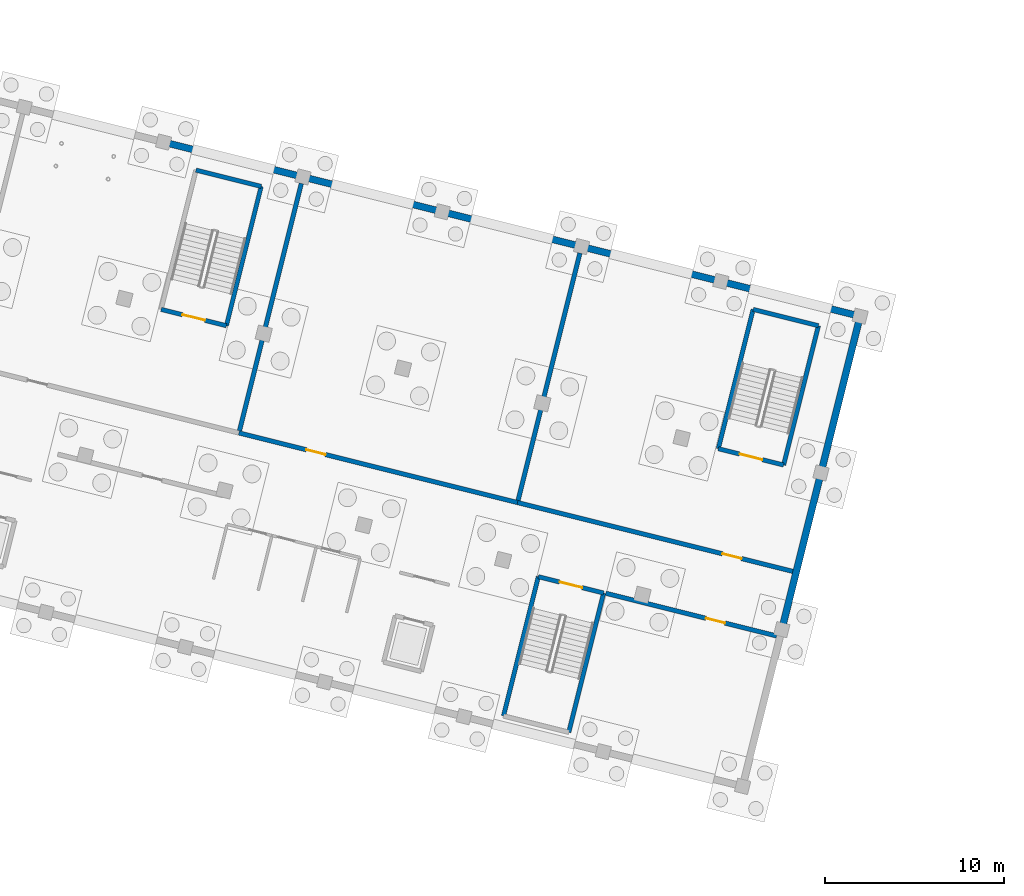
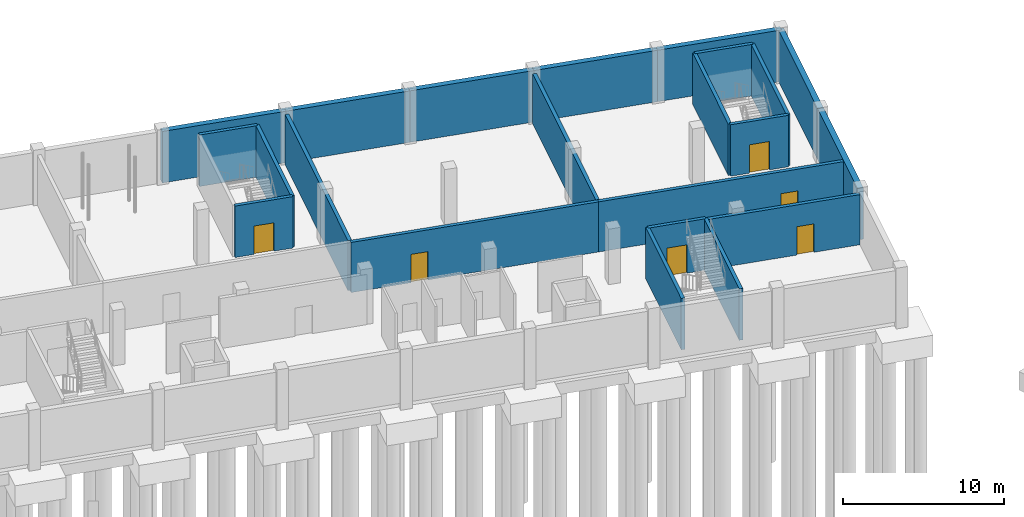
# One storey, part 25 of 36: 22 walls, 6 doors, 6 openings.
"""IFC4 building model written with IfcOpenShell, lengths in metres."""

from ifc_helpers import new_model, si_unit, derived_unit, direction, frame, frame_2d, origin, place, context, subcontext, project, spatial, rectangle, extrude, material, layer, layer_set, type_object, element, fill, save


model = new_model("IFC4")

# Units and contexts
model_context = context("Model", 3, precision=1e-05, world=origin(), true_north=direction((0.0, 1.0)))
body_context = subcontext(model_context, "Body", "Model", "MODEL_VIEW")
ifc_project = project(units=[si_unit("LENGTHUNIT", "METRE"), si_unit("AREAUNIT", "SQUARE_METRE"), si_unit("VOLUMEUNIT", "CUBIC_METRE"), si_unit("PLANEANGLEUNIT", "RADIAN"), si_unit("MASSUNIT", "GRAM", prefix="KILO"), si_unit("THERMODYNAMICTEMPERATUREUNIT", "KELVIN"), si_unit("TIMEUNIT", "SECOND"), derived_unit("THERMALTRANSMITTANCEUNIT", [(si_unit("MASSUNIT", "GRAM", prefix="KILO"), 1), (si_unit("THERMODYNAMICTEMPERATUREUNIT", "KELVIN"), -1), (si_unit("TIMEUNIT", "SECOND"), -3)])], contexts=[model_context])

# Site, building, storey
site_placement = place(None, origin())
site = spatial("IfcSite", under=ifc_project, at=site_placement, CompositionType="ELEMENT")
building_placement = place(site_placement, origin())
building = spatial("IfcBuilding", under=site, at=building_placement, Name="Cambertide Market Hall", CompositionType="ELEMENT")
storey_placement = place(building_placement, frame((0.0, 0.0, -4.199951171875)))
storey = spatial("IfcBuildingStorey", under=building, at=storey_placement, Name="B1", CompositionType="ELEMENT", Elevation=-4.199951171875)

# Wall, opening, door
ifc_material_1 = material(Name="Concrete B35", Category="concrete")
ifc_layer_1 = layer(ifc_material_1, 0.25, Name="Compartment Fire Wall 250")
ifc_layer_set_1 = layer_set([ifc_layer_1], Name="Concrete B35")
wall_type_1 = type_object("IfcWallType", Name="Compartment Fire Wall 250", PredefinedType="SOLIDWALL", material=ifc_layer_set_1)
wall_1_placement = place(storey_placement, frame((142.02783203125, 104.171630859375, 0.0), z_axis=(0.0, 0.0, 1.0), x_axis=(0.97014160256, -0.242539215349, 0.0)))
wall_1 = element("IfcWall", 1, at=wall_1_placement, inside=storey, type_object=wall_type_1, Name="Basement 1 Interior Wall IW-B1-V4P-3", PredefinedType="SOLIDWALL", context=body_context, shape_type="SweptSolid", body=[
    extrude(rectangle(XDim=16.0, YDim=0.25, at=frame_2d((8.0, 0.0))), origin(), (0.0, 0.0, 1.0), 3.800048828125),
])
opening_1_placement = place(wall_1_placement, frame((3.8740234375, 0.0, 0.0)))
opening_1 = element("IfcOpeningElement", 2, at=opening_1_placement, cuts=wall_1, Name="Opening FD-03", PredefinedType="OPENING", context=body_context, shape_type="SweptSolid", body=[
    extrude(rectangle(XDim=1.10009765625, YDim=2.14990234375, at=frame_2d((0.550048828125, 1.074951171875))), frame((0.0, 0.135009765625, 0.0), z_axis=(0.0, -1.0, 0.0), x_axis=(1.0, 0.0, 0.0)), (0.0, 0.0, 1.0), 0.27001953125),
])
ifc_material_2 = material(Name="Powder-Coated Galvanized Sheet Metal", Category="metal")
door_type_1 = type_object("IfcDoorType", Name="Plant & Cistern Fire Door 1100x2150", OperationType="NOTDEFINED", PredefinedType="DOOR", material=ifc_material_2)
door_1_placement = place(opening_1_placement, origin())
door_1 = element("IfcDoor", 3, at=door_1_placement, inside=storey, type_object=door_type_1, Name="Basement 1 Door IW-B1-V4P-3-DR1", OperationType="SINGLE_SWING_RIGHT", OverallHeight=2.14990234375, OverallWidth=1.10009765625, PredefinedType="DOOR", context=body_context, shape_type="SweptSolid", body=[
    extrude(rectangle(XDim=1.10009765625, YDim=2.14990234375, at=frame_2d((0.550048828125, 1.074951171875))), frame((0.0, 0.02490234375, 0.0), z_axis=(0.0, -1.0, 0.0), x_axis=(1.0, 0.0, 0.0)), (0.0, 0.0, 1.0), 0.050048828125),
])
fill(opening_1, door_1)

wall_2_placement = place(storey_placement, frame((157.550048828125, 100.291015625, 0.0), z_axis=(0.0, 0.0, 1.0), x_axis=(0.970142500145, -0.242535625036, 0.0)))
wall_2 = element("IfcWall", 4, at=wall_2_placement, inside=storey, type_object=wall_type_1, Name="Basement 1 Interior Wall IW-B1-V4P-4", PredefinedType="SOLIDWALL", context=body_context, shape_type="SweptSolid", body=[
    extrude(rectangle(XDim=15.809814453125, YDim=0.25, at=frame_2d((7.90478515625, 0.0))), origin(), (0.0, 0.0, 1.0), 3.800048828125),
])
opening_2_placement = place(wall_2_placement, frame((11.76806640625, 0.0, 0.0)))
opening_2 = element("IfcOpeningElement", 5, at=opening_2_placement, cuts=wall_2, Name="Opening FD-03", PredefinedType="OPENING", context=body_context, shape_type="SweptSolid", body=[
    extrude(rectangle(XDim=1.10009765625, YDim=2.14990234375, at=frame_2d((0.550048828125, 1.074951171875))), frame((0.0, 0.135009765625, 0.0), z_axis=(0.0, -1.0, 0.0), x_axis=(1.0, 0.0, 0.0)), (0.0, 0.0, 1.0), 0.27001953125),
])
door_2_placement = place(opening_2_placement, origin())
door_2 = element("IfcDoor", 6, at=door_2_placement, inside=storey, type_object=door_type_1, Name="Basement 1 Door IW-B1-V4P-4-DR1", OperationType="SINGLE_SWING_LEFT", OverallHeight=2.14990234375, OverallWidth=1.10009765625, PredefinedType="DOOR", context=body_context, shape_type="SweptSolid", body=[
    extrude(rectangle(XDim=1.10009765625, YDim=2.14990234375, at=frame_2d((0.550048828125, 1.074951171875))), frame((0.0, 0.02490234375, 0.0), z_axis=(0.0, -1.0, 0.0), x_axis=(1.0, 0.0, 0.0)), (0.0, 0.0, 1.0), 0.050048828125),
])
fill(opening_2, door_2)

# Walls
wall_3_placement = place(storey_placement, frame((142.05810546875, 104.29296875, 0.0), z_axis=(0.0, 0.0, 1.0), x_axis=(0.242527534102, 0.970144522843, 0.0)))
element("IfcWall", 7, at=wall_3_placement, inside=storey, type_object=wall_type_1, Name="Basement 1 Interior Wall IW-B1-V4PDIV-32", PredefinedType="SOLIDWALL", context=body_context, shape_type="SweptSolid", body=[
    extrude(rectangle(XDim=14.19970703125, YDim=0.25, at=frame_2d((7.099853515625, 0.0))), origin(), (0.0, 0.0, 1.0), 3.800048828125),
])
wall_4_placement = place(storey_placement, frame((157.580322265625, 100.412353515625, 0.0), z_axis=(0.0, 0.0, 1.0), x_axis=(0.24254371592, 0.970140477388, 0.0)))
element("IfcWall", 8, at=wall_4_placement, inside=storey, type_object=wall_type_1, Name="Basement 1 Interior Wall IW-B1-V4PDIV-48", PredefinedType="SOLIDWALL", context=body_context, shape_type="SweptSolid", body=[
    extrude(rectangle(XDim=14.199951171875, YDim=0.25, at=frame_2d((7.10009765625, 0.0))), origin(), (0.0, 0.0, 1.0), 3.800048828125),
])

# Wall, opening, door
wall_5_placement = place(storey_placement, frame((162.47119140625, 95.236572265625, 0.0), z_axis=(0.0, 0.0, 1.0), x_axis=(0.970145427958, -0.242523913484, 0.0)))
wall_5 = element("IfcWall", 9, at=wall_5_placement, inside=storey, type_object=wall_type_1, Name="Basement 1 Interior Wall IW-B1-V4GRSE", PredefinedType="SOLIDWALL", context=body_context, shape_type="SweptSolid", body=[
    extrude(rectangle(XDim=9.81005859375, YDim=0.25, at=frame_2d((4.905029296875, 0.0))), origin(), (0.0, 0.0, 1.0), 3.800048828125),
])
opening_3_placement = place(wall_5_placement, frame((5.74853515625, 0.0, 0.0)))
opening_3 = element("IfcOpeningElement", 10, at=opening_3_placement, cuts=wall_5, Name="Opening FD-03", PredefinedType="OPENING", context=body_context, shape_type="SweptSolid", body=[
    extrude(rectangle(XDim=1.10009765625, YDim=2.14990234375, at=frame_2d((0.550048828125, 1.074951171875))), frame((0.0, 0.135009765625, 0.0), z_axis=(0.0, -1.0, 0.0), x_axis=(1.0, 0.0, 0.0)), (0.0, 0.0, 1.0), 0.27001953125),
])
door_3_placement = place(opening_3_placement, origin())
door_3 = element("IfcDoor", 11, at=door_3_placement, inside=storey, type_object=door_type_1, Name="Basement 1 Door IW-B1-V4GRSE-DR1", OperationType="SINGLE_SWING_LEFT", OverallHeight=2.14990234375, OverallWidth=1.10009765625, PredefinedType="DOOR", context=body_context, shape_type="SweptSolid", body=[
    extrude(rectangle(XDim=1.10009765625, YDim=2.14990234375, at=frame_2d((0.550048828125, 1.074951171875))), frame((0.0, 0.02490234375, 0.0), z_axis=(0.0, -1.0, 0.0), x_axis=(1.0, 0.0, 0.0)), (0.0, 0.0, 1.0), 0.050048828125),
])
fill(opening_3, door_3)

# Walls
ifc_material_3 = material(Name="Concrete B35", Category="concrete")
ifc_layer_2 = layer(ifc_material_3, 0.3798828125, Name="Heavy Cistern Retaining Wall 380")
ifc_layer_set_2 = layer_set([ifc_layer_2], Name="Concrete B35")
wall_type_2 = type_object("IfcWallType", Name="Heavy Cistern Retaining Wall 380", PredefinedType="SOLIDWALL", material=ifc_layer_set_2)
wall_6_placement = place(storey_placement, frame((137.831787109375, 120.373046875, 0.0), z_axis=(0.0, 0.0, 1.0), x_axis=(0.970138909791, -0.242549986002, 0.0)))
element("IfcWall", 12, at=wall_6_placement, inside=storey, type_object=wall_type_2, Name="Basement 1 Exterior Wall EW-B1-V4N-4", PredefinedType="SOLIDWALL", context=body_context, shape_type="SweptSolid", body=[
    extrude(rectangle(XDim=8.000244140625, YDim=0.3798828125, at=frame_2d((4.0, 0.0))), origin(), (0.0, 0.0, 1.0), 3.89990234375),
])
wall_7_placement = place(storey_placement, frame((145.593017578125, 118.4326171875, 0.0), z_axis=(0.0, 0.0, 1.0), x_axis=(0.970146090314, -0.242521263911, 0.0)))
element("IfcWall", 13, at=wall_7_placement, inside=storey, type_object=wall_type_2, Name="Basement 1 Exterior Wall EW-B1-V4N-5", PredefinedType="SOLIDWALL", context=body_context, shape_type="SweptSolid", body=[
    extrude(rectangle(XDim=8.0, YDim=0.3798828125, at=frame_2d((4.0, 0.0))), origin(), (0.0, 0.0, 1.0), 3.89990234375),
])
wall_8_placement = place(storey_placement, frame((153.354248046875, 116.492431640625, 0.0), z_axis=(0.0, 0.0, 1.0), x_axis=(0.970144295309, -0.242528444268, 0.0)))
element("IfcWall", 14, at=wall_8_placement, inside=storey, type_object=wall_type_2, Name="Basement 1 Exterior Wall EW-B1-V4N-6", PredefinedType="SOLIDWALL", context=body_context, shape_type="SweptSolid", body=[
    extrude(rectangle(XDim=7.999755859375, YDim=0.3798828125, at=frame_2d((4.0, 0.0))), origin(), (0.0, 0.0, 1.0), 3.89990234375),
])
wall_9_placement = place(storey_placement, frame((161.115234375, 114.55224609375, 0.0), z_axis=(0.0, 0.0, 1.0), x_axis=(0.970138909791, -0.242549986002, 0.0)))
element("IfcWall", 15, at=wall_9_placement, inside=storey, type_object=wall_type_2, Name="Basement 1 Exterior Wall EW-B1-V4N-7", PredefinedType="SOLIDWALL", context=body_context, shape_type="SweptSolid", body=[
    extrude(rectangle(XDim=8.000244140625, YDim=0.3798828125, at=frame_2d((4.0, 0.0))), origin(), (0.0, 0.0, 1.0), 3.89990234375),
])
wall_10_placement = place(storey_placement, frame((168.87646484375, 112.61181640625, 0.0), z_axis=(0.0, 0.0, 1.0), x_axis=(0.970146090314, -0.242521263911, 0.0)))
element("IfcWall", 16, at=wall_10_placement, inside=storey, type_object=wall_type_2, Name="Basement 1 Exterior Wall EW-B1-V4N-8", PredefinedType="SOLIDWALL", context=body_context, shape_type="SweptSolid", body=[
    extrude(rectangle(XDim=8.0, YDim=0.3798828125, at=frame_2d((4.0, 0.0))), origin(), (0.0, 0.0, 1.0), 3.89990234375),
])
wall_11_placement = place(storey_placement, frame((174.454833984375, 101.940185546875, 0.0), z_axis=(0.0, 0.0, 1.0), x_axis=(-0.242542007841, -0.970140904422, 0.0)))
element("IfcWall", 17, at=wall_11_placement, inside=storey, type_object=wall_type_2, Name="Basement 1 Exterior Wall EW-B1-V4E-2", PredefinedType="SOLIDWALL", context=body_context, shape_type="SweptSolid", body=[
    extrude(rectangle(XDim=9.0, YDim=0.3798828125, at=frame_2d((4.5, 0.0))), origin(), (0.0, 0.0, 1.0), 3.89990234375),
])
wall_12_placement = place(storey_placement, frame((176.6376953125, 110.671630859375, 0.0), z_axis=(0.0, 0.0, 1.0), x_axis=(-0.242535625036, -0.970142500145, 0.0)))
element("IfcWall", 18, at=wall_12_placement, inside=storey, type_object=wall_type_2, Name="Basement 1 Exterior Wall EW-B1-V4E-3", PredefinedType="SOLIDWALL", context=body_context, shape_type="SweptSolid", body=[
    extrude(rectangle(XDim=9.000244140625, YDim=0.3798828125, at=frame_2d((4.5, 0.0))), origin(), (0.0, 0.0, 1.0), 3.89990234375),
])

# Wall, opening, door
ifc_material_4 = material(Name="Concrete B35", Category="concrete")
ifc_layer_3 = layer(ifc_material_4, 0.239990234375, Name="Stair & Lift Core Shaft Wall 240")
ifc_layer_set_3 = layer_set([ifc_layer_3], Name="Concrete B35")
wall_type_3 = type_object("IfcWallType", Name="Stair & Lift Core Shaft Wall 240", PredefinedType="SOLIDWALL", material=ifc_layer_set_3)
wall_13_placement = place(storey_placement, frame((141.33056640625, 110.14404296875, 0.0), z_axis=(0.0, 0.0, 1.0), x_axis=(-0.970134840723, 0.242566260672, 0.0)))
wall_13 = element("IfcWall", 19, at=wall_13_placement, inside=storey, type_object=wall_type_3, Name="Basement 1 Interior Wall SHW-ST-07B-B1-NEAR", PredefinedType="SOLIDWALL", context=body_context, shape_type="SweptSolid", body=[
    extrude(rectangle(XDim=3.750244140625, YDim=0.239990234375, at=frame_2d((1.875, 0.0))), origin(), (0.0, 0.0, 1.0), 3.89990234375),
])
opening_4_placement = place(wall_13_placement, frame((1.22509765625, 0.0, 0.0)))
opening_4 = element("IfcOpeningElement", 20, at=opening_4_placement, cuts=wall_13, Name="Opening FD-01", PredefinedType="OPENING", context=body_context, shape_type="SweptSolid", body=[
    extrude(rectangle(XDim=1.300048828125, YDim=2.14990234375, at=frame_2d((0.64990234375, 1.074951171875))), frame((0.0, 0.1298828125, 0.0), z_axis=(0.0, -1.0, 0.0), x_axis=(1.0, 0.0, 0.0)), (0.0, 0.0, 1.0), 0.260009765625),
])
ifc_material_5 = material(Name="Powder-Coated Galvanized Sheet Metal", Category="metal")
door_type_2 = type_object("IfcDoorType", Name="Stair Core Fire Door 1300x2150", OperationType="NOTDEFINED", PredefinedType="DOOR", material=ifc_material_5)
door_4_placement = place(opening_4_placement, origin())
door_4 = element("IfcDoor", 21, at=door_4_placement, inside=storey, type_object=door_type_2, Name="Basement 1 Door SHW-ST-07B-B1-NEAR-DR1", OperationType="SINGLE_SWING_RIGHT", OverallHeight=2.14990234375, OverallWidth=1.300048828125, PredefinedType="DOOR", context=body_context, shape_type="SweptSolid", body=[
    extrude(rectangle(XDim=1.300048828125, YDim=2.14990234375, at=frame_2d((0.64990234375, 1.074951171875))), frame((0.0, 0.02490234375, 0.0), z_axis=(0.0, -1.0, 0.0), x_axis=(1.0, 0.0, 0.0)), (0.0, 0.0, 1.0), 0.050048828125),
])
fill(opening_4, door_4)

# Walls
wall_14_placement = place(storey_placement, frame((143.270751953125, 117.9052734375, 0.0), z_axis=(0.0, 0.0, 1.0), x_axis=(-0.242521263911, -0.970146090314, 0.0)))
element("IfcWall", 22, at=wall_14_placement, inside=storey, type_object=wall_type_3, Name="Basement 1 Interior Wall SHW-ST-07B-B1-L", PredefinedType="SOLIDWALL", context=body_context, shape_type="SweptSolid", body=[
    extrude(rectangle(XDim=8.0, YDim=0.239990234375, at=frame_2d((4.0, 0.0))), origin(), (0.0, 0.0, 1.0), 3.89990234375),
])
wall_15_placement = place(storey_placement, frame((139.6328125, 118.814697265625, 0.0), z_axis=(0.0, 0.0, 1.0), x_axis=(0.970146329796, -0.242520305918, 0.0)))
element("IfcWall", 23, at=wall_15_placement, inside=storey, type_object=wall_type_3, Name="Basement 1 Interior Wall SHW-ST-07B-B1-FAR", PredefinedType="SOLIDWALL", context=body_context, shape_type="SweptSolid", body=[
    extrude(rectangle(XDim=3.75, YDim=0.239990234375, at=frame_2d((1.875, 0.0))), origin(), (0.0, 0.0, 1.0), 3.89990234375),
])

# Wall, opening, door
wall_16_placement = place(storey_placement, frame((158.7080078125, 96.161865234375, 0.0), z_axis=(0.0, 0.0, 1.0), x_axis=(0.970150158722, -0.242504988675, 0.0)))
wall_16 = element("IfcWall", 24, at=wall_16_placement, inside=storey, type_object=wall_type_3, Name="Basement 1 Interior Wall SHW-ST-08A-B1-NEAR", PredefinedType="SOLIDWALL", context=body_context, shape_type="SweptSolid", body=[
    extrude(rectangle(XDim=3.750244140625, YDim=0.239990234375, at=frame_2d((1.875, 0.0))), origin(), (0.0, 0.0, 1.0), 3.89990234375),
])
opening_5_placement = place(wall_16_placement, frame((1.22509765625, 0.0, 0.0)))
opening_5 = element("IfcOpeningElement", 25, at=opening_5_placement, cuts=wall_16, Name="Opening FD-01", PredefinedType="OPENING", context=body_context, shape_type="SweptSolid", body=[
    extrude(rectangle(XDim=1.300048828125, YDim=2.14990234375, at=frame_2d((0.64990234375, 1.074951171875))), frame((0.0, 0.1298828125, 0.0), z_axis=(0.0, -1.0, 0.0), x_axis=(1.0, 0.0, 0.0)), (0.0, 0.0, 1.0), 0.260009765625),
])
door_5_placement = place(opening_5_placement, origin())
door_5 = element("IfcDoor", 26, at=door_5_placement, inside=storey, type_object=door_type_2, Name="Basement 1 Door SHW-ST-08A-B1-NEAR-DR1", OperationType="SINGLE_SWING_LEFT", OverallHeight=2.14990234375, OverallWidth=1.300048828125, PredefinedType="DOOR", context=body_context, shape_type="SweptSolid", body=[
    extrude(rectangle(XDim=1.300048828125, YDim=2.14990234375, at=frame_2d((0.64990234375, 1.074951171875))), frame((0.0, 0.02490234375, 0.0), z_axis=(0.0, -1.0, 0.0), x_axis=(1.0, 0.0, 0.0)), (0.0, 0.0, 1.0), 0.050048828125),
])
fill(opening_5, door_5)

# Walls
for number, where, z_axis, x_axis, name in (
    (27, (156.767822265625, 88.400634765625, 0.0), (0.0, 0.0, 1.0), (0.242521263911, 0.970146090314, 0.0), "Basement 1 Interior Wall SHW-ST-08A-B1-L"),
    (28, (162.34619140625, 95.25244140625, 0.0), (0.0, 0.0, 1.0), (-0.242521263911, -0.970146090314, 0.0), "Basement 1 Interior Wall SHW-ST-08A-B1-R"),
):
    element("IfcWall", number, at=place(storey_placement, frame(where, z_axis=z_axis, x_axis=x_axis)), inside=storey, type_object=wall_type_3, Name=name, PredefinedType="SOLIDWALL", context=body_context, shape_type="SweptSolid", body=[
        extrude(rectangle(XDim=8.0, YDim=0.239990234375, at=frame_2d((4.0, 0.0))), origin(), (0.0, 0.0, 1.0), 3.89990234375),
    ])

# Wall, opening, door
wall_17_placement = place(storey_placement, frame((172.375, 102.3828125, 0.0), z_axis=(0.0, 0.0, 1.0), x_axis=(-0.970131009923, 0.242581581301, 0.0)))
wall_17 = element("IfcWall", 29, at=wall_17_placement, inside=storey, type_object=wall_type_3, Name="Basement 1 Interior Wall SHW-ST-08B-B1-NEAR", PredefinedType="SOLIDWALL", context=body_context, shape_type="SweptSolid", body=[
    extrude(rectangle(XDim=3.75, YDim=0.239990234375, at=frame_2d((1.875, 0.0))), origin(), (0.0, 0.0, 1.0), 3.89990234375),
])
opening_6_placement = place(wall_17_placement, frame((1.22509765625, 0.0, 0.0)))
opening_6 = element("IfcOpeningElement", 30, at=opening_6_placement, cuts=wall_17, Name="Opening FD-01", PredefinedType="OPENING", context=body_context, shape_type="SweptSolid", body=[
    extrude(rectangle(XDim=1.300048828125, YDim=2.14990234375, at=frame_2d((0.64990234375, 1.074951171875))), frame((0.0, 0.1298828125, 0.0), z_axis=(0.0, -1.0, 0.0), x_axis=(1.0, 0.0, 0.0)), (0.0, 0.0, 1.0), 0.260009765625),
])
door_6_placement = place(opening_6_placement, origin())
door_6 = element("IfcDoor", 31, at=door_6_placement, inside=storey, type_object=door_type_2, Name="Basement 1 Door SHW-ST-08B-B1-NEAR-DR1", OperationType="SINGLE_SWING_RIGHT", OverallHeight=2.14990234375, OverallWidth=1.300048828125, PredefinedType="DOOR", context=body_context, shape_type="SweptSolid", body=[
    extrude(rectangle(XDim=1.300048828125, YDim=2.14990234375, at=frame_2d((0.64990234375, 1.074951171875))), frame((0.0, 0.02490234375, 0.0), z_axis=(0.0, -1.0, 0.0), x_axis=(1.0, 0.0, 0.0)), (0.0, 0.0, 1.0), 0.050048828125),
])
fill(opening_6, door_6)

# Walls
wall_18_placement = place(storey_placement, frame((174.315185546875, 110.14404296875, 0.0), z_axis=(0.0, 0.0, 1.0), x_axis=(-0.242521263911, -0.970146090314, 0.0)))
element("IfcWall", 32, at=wall_18_placement, inside=storey, type_object=wall_type_3, Name="Basement 1 Interior Wall SHW-ST-08B-B1-L", PredefinedType="SOLIDWALL", context=body_context, shape_type="SweptSolid", body=[
    extrude(rectangle(XDim=8.0, YDim=0.239990234375, at=frame_2d((4.0, 0.0))), origin(), (0.0, 0.0, 1.0), 3.89990234375),
])
wall_19_placement = place(storey_placement, frame((170.67724609375, 111.0537109375, 0.0), z_axis=(0.0, 0.0, 1.0), x_axis=(0.970131009923, -0.242581581301, 0.0)))
element("IfcWall", 33, at=wall_19_placement, inside=storey, type_object=wall_type_3, Name="Basement 1 Interior Wall SHW-ST-08B-B1-FAR", PredefinedType="SOLIDWALL", context=body_context, shape_type="SweptSolid", body=[
    extrude(rectangle(XDim=3.75, YDim=0.239990234375, at=frame_2d((1.875, 0.0))), origin(), (0.0, 0.0, 1.0), 3.89990234375),
])
wall_20_placement = place(storey_placement, frame((168.737060546875, 103.29248046875, 0.0), z_axis=(0.0, 0.0, 1.0), x_axis=(0.242521263911, 0.970146090314, 0.0)))
element("IfcWall", 34, at=wall_20_placement, inside=storey, type_object=wall_type_3, Name="Basement 1 Interior Wall SHW-ST-08B-B1-R", PredefinedType="SOLIDWALL", context=body_context, shape_type="SweptSolid", body=[
    extrude(rectangle(XDim=8.0, YDim=0.239990234375, at=frame_2d((4.0, 0.0))), origin(), (0.0, 0.0, 1.0), 3.89990234375),
])

save(model, "model.ifc")
